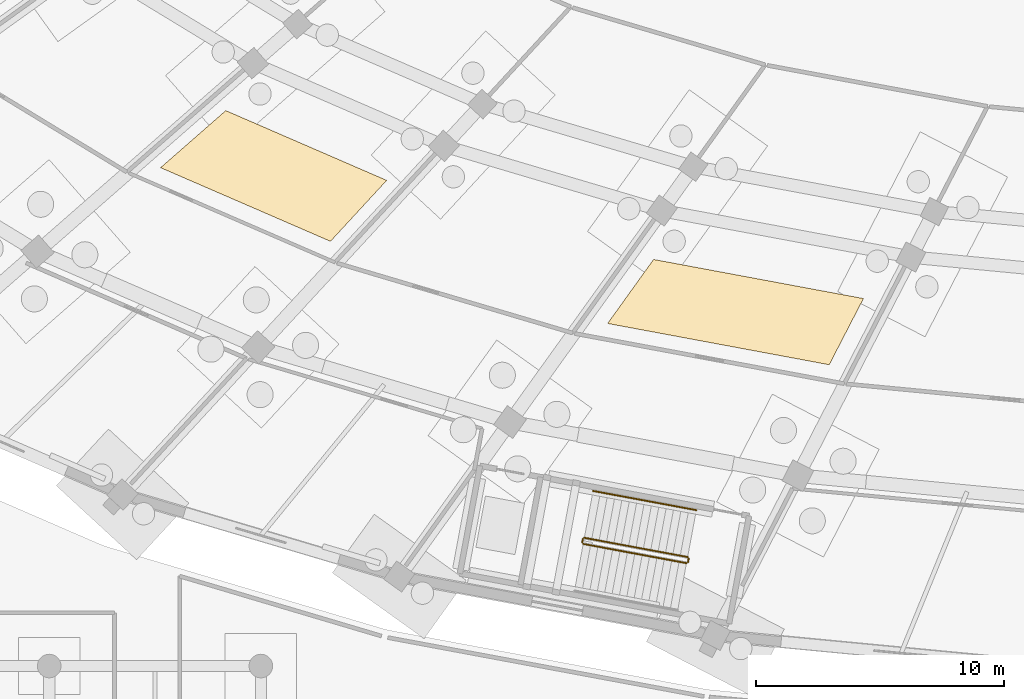
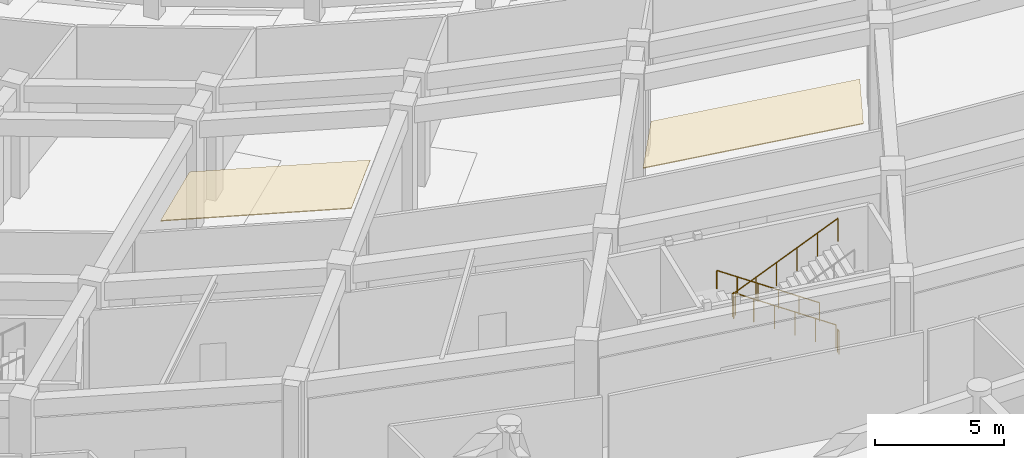
# One storey, part 70 of 88: 5 railings, 2 coverings.
"""IFC4 building model written with IfcOpenShell, lengths in metres."""

from ifc_helpers import new_model, si_unit, direction, frame, origin, origin_2d, place, context, subcontext, project, spatial, polyline, circle, outline, extrude, material, layer, layer_set, type_object, element, save


model = new_model("IFC4")

# Units and contexts
model_context = context("Model", 3, precision=1e-05, world=origin(), true_north=direction((0.0, 1.0)))
body_context = subcontext(model_context, "Body", "Model", "MODEL_VIEW")
ifc_project = project(units=[si_unit("LENGTHUNIT", "METRE"), si_unit("AREAUNIT", "SQUARE_METRE"), si_unit("VOLUMEUNIT", "CUBIC_METRE"), si_unit("PLANEANGLEUNIT", "RADIAN"), si_unit("MASSUNIT", "GRAM", prefix="KILO")], contexts=[model_context])

# Site, building, storey
site_placement = place(None, origin())
site = spatial("IfcSite", under=ifc_project, at=site_placement, CompositionType="ELEMENT")
building_placement = place(site_placement, origin())
building = spatial("IfcBuilding", under=site, at=building_placement, Name="Mphavela Belvedere Stadium", CompositionType="ELEMENT")
storey_placement = place(building_placement, origin())
storey = spatial("IfcBuildingStorey", under=building, at=storey_placement, Name="L00", CompositionType="ELEMENT", Elevation=0.0)

# Coverings
ifc_material_1 = material(Name="Perforated acoustic mineral ceiling tile")
ifc_layer = layer(ifc_material_1, 0.0400390625)
ifc_layer_set = layer_set([ifc_layer], Name="Perforated acoustic mineral ceiling tile")
covering_type = type_object("IfcCoveringType", Name="COV-CEILING-ACOUSTIC", PredefinedType="CEILING", material=ifc_layer_set)
covering_1_placement = place(storey_placement, frame((0.0, 0.0, 4.10009765625)))
element("IfcCovering", 1, at=covering_1_placement, inside=storey, type_object=covering_type, Name="Concourse acoustic ceiling L00-32", PredefinedType="CEILING", context=body_context, shape_type="SweptSolid", body=[
    extrude(outline(polyline([(58.21875, 36.35888671875), (64.69580078125, 33.55078125), (62.43310546875, 31.0966796875), (55.593505859375, 34.061767578125), (58.21875, 36.35888671875)])), origin(), (0.0, 0.0, 1.0), 0.039794921875),
])
covering_2_placement = place(storey_placement, frame((0.0, 0.0, 4.10009765625)))
element("IfcCovering", 2, at=covering_2_placement, inside=storey, type_object=covering_type, Name="Concourse acoustic ceiling L00-34", PredefinedType="CEILING", context=body_context, shape_type="SweptSolid", body=[
    extrude(outline(polyline([(75.439453125, 30.367431640625), (83.8876953125, 28.7939453125), (82.510986328125, 26.129150390625), (73.590087890625, 27.79052734375), (75.439453125, 30.367431640625)])), origin(), (0.0, 0.0, 1.0), 0.039794921875),
])

# Railings
ifc_material_2 = material(Name="Painted galvanised steel stair guardrail", Category="steel")
railing_type_1 = type_object("IfcRailingType", Name="RAL-GUARD-1120", PredefinedType="GUARDRAIL", material=ifc_material_2)
railing_1_placement = place(storey_placement, frame((76.809814453125, 18.387939453125, 0.179931640625)))
element("IfcRailing", 3, at=railing_1_placement, inside=storey, type_object=railing_type_1, Name="L00 ST-C11 stair guard 1", PredefinedType="GUARDRAIL", context=body_context, shape_type="SweptSolid", body=[
    extrude(circle(Radius=0.02392578125, at=origin_2d()), frame((0.0, 0.0, 1.09619140625), z_axis=(-0.844469166388, 0.1572870324, 0.51198888314), x_axis=(-0.183106500193, -0.98309308287, 0.0)), (0.0, 0.0, 1.0), 4.922119140625),
    extrude(circle(Radius=0.02099609375, at=origin_2d()), origin(), (0.0, 0.0, 1.0), 1.072021484375),
    extrude(circle(Radius=0.02099609375, at=origin_2d()), frame((-0.831298828125, 0.15478515625, 0.50390625)), (0.0, 0.0, 1.0), 1.072021484375),
    extrude(circle(Radius=0.02099609375, at=origin_2d()), frame((-1.66259765625, 0.3095703125, 1.008056640625)), (0.0, 0.0, 1.0), 1.072021484375),
    extrude(circle(Radius=0.02099609375, at=origin_2d()), frame((-2.493896484375, 0.464599609375, 1.511962890625)), (0.0, 0.0, 1.0), 1.072021484375),
    extrude(circle(Radius=0.02099609375, at=origin_2d()), frame((-3.3251953125, 0.619384765625, 2.01611328125)), (0.0, 0.0, 1.0), 1.072021484375),
    extrude(circle(Radius=0.02099609375, at=origin_2d()), frame((-4.156494140625, 0.774169921875, 2.52001953125)), (0.0, 0.0, 1.0), 1.072021484375),
])
railing_2_placement = place(storey_placement, frame((72.594970703125, 19.1220703125, 2.699951171875)))
element("IfcRailing", 4, at=railing_2_placement, inside=storey, type_object=railing_type_1, Name="L00 ST-C11 stair guard 2", PredefinedType="GUARDRAIL", context=body_context, shape_type="SweptSolid", body=[
    extrude(circle(Radius=0.02392578125, at=origin_2d()), frame((0.0, 0.0, 1.09619140625), z_axis=(-0.182322426032, -0.983238797529, 0.0), x_axis=(0.983238797529, -0.182322426032, 0.0)), (0.0, 0.0, 1.0), 0.14990234375),
    extrude(circle(Radius=0.02099609375, at=origin_2d()), origin(), (0.0, 0.0, 1.0), 1.072021484375),
    extrude(circle(Radius=0.02099609375, at=origin_2d()), frame((-0.02734375, -0.1474609375, 0.0)), (0.0, 0.0, 1.0), 1.072021484375),
])
railing_3_placement = place(storey_placement, frame((72.607666015625, 18.916259765625, 2.8798828125)))
element("IfcRailing", 5, at=railing_3_placement, inside=storey, type_object=railing_type_1, Name="L00 ST-C11 stair guard 3", PredefinedType="GUARDRAIL", context=body_context, shape_type="SweptSolid", body=[
    extrude(circle(Radius=0.02392578125, at=origin_2d()), frame((0.0, 0.0, 1.09619140625), z_axis=(0.844469166388, -0.1572870324, 0.51198888314), x_axis=(0.183106500193, 0.98309308287, 0.0)), (0.0, 0.0, 1.0), 4.922119140625),
    extrude(circle(Radius=0.02099609375, at=origin_2d()), origin(), (0.0, 0.0, 1.0), 1.072021484375),
    extrude(circle(Radius=0.02099609375, at=origin_2d()), frame((0.831298828125, -0.15478515625, 0.50390625)), (0.0, 0.0, 1.0), 1.072021484375),
    extrude(circle(Radius=0.02099609375, at=origin_2d()), frame((1.66259765625, -0.3095703125, 1.008056640625)), (0.0, 0.0, 1.0), 1.072021484375),
    extrude(circle(Radius=0.02099609375, at=origin_2d()), frame((2.493896484375, -0.464599609375, 1.511962890625)), (0.0, 0.0, 1.0), 1.072021484375),
    extrude(circle(Radius=0.02099609375, at=origin_2d()), frame((3.3251953125, -0.619384765625, 2.01611328125)), (0.0, 0.0, 1.0), 1.072021484375),
    extrude(circle(Radius=0.02099609375, at=origin_2d()), frame((4.156494140625, -0.774169921875, 2.52001953125)), (0.0, 0.0, 1.0), 1.072021484375),
])
railing_4_placement = place(storey_placement, frame((76.849853515625, 18.32958984375, 0.0)))
element("IfcRailing", 6, at=railing_4_placement, inside=storey, type_object=railing_type_1, Name="L00 ST-C11 stair guard 4", PredefinedType="GUARDRAIL", context=body_context, shape_type="SweptSolid", body=[
    extrude(circle(Radius=0.02392578125, at=origin_2d()), frame((0.0, 0.0, 1.09619140625), z_axis=(-0.182322426032, -0.983238797529, 0.0), x_axis=(0.983238797529, -0.182322426032, 0.0)), (0.0, 0.0, 1.0), 0.14990234375),
    extrude(circle(Radius=0.02099609375, at=origin_2d()), origin(), (0.0, 0.0, 1.0), 1.072021484375),
    extrude(circle(Radius=0.02099609375, at=origin_2d()), frame((-0.02734375, -0.1474609375, 0.0)), (0.0, 0.0, 1.0), 1.072021484375),
])
ifc_material_3 = material(Name="Brushed stainless steel tubular handrail", Category="steel")
railing_type_2 = type_object("IfcRailingType", Name="RAL-HANDRAIL-900", PredefinedType="HANDRAIL", material=ifc_material_3)
railing_5_placement = place(storey_placement, frame((77.161376953125, 20.275390625, 0.179931640625)))
element("IfcRailing", 7, at=railing_5_placement, inside=storey, type_object=railing_type_2, Name="L00 ST-C11 stair handrail 1", PredefinedType="HANDRAIL", context=body_context, shape_type="SweptSolid", body=[
    extrude(circle(Radius=0.02392578125, at=origin_2d()), frame((0.0, 0.0, 0.8759765625), z_axis=(-0.844469166388, 0.1572870324, 0.51198888314), x_axis=(-0.183106500193, -0.98309308287, 0.0)), (0.0, 0.0, 1.0), 4.922119140625),
    extrude(circle(Radius=0.02099609375, at=origin_2d()), origin(), (0.0, 0.0, 1.0), 0.851806640625),
    extrude(circle(Radius=0.02099609375, at=origin_2d()), frame((-0.831298828125, 0.15478515625, 0.50390625)), (0.0, 0.0, 1.0), 0.851806640625),
    extrude(circle(Radius=0.02099609375, at=origin_2d()), frame((-1.66259765625, 0.3095703125, 1.008056640625)), (0.0, 0.0, 1.0), 0.851806640625),
    extrude(circle(Radius=0.02099609375, at=origin_2d()), frame((-2.493896484375, 0.464599609375, 1.511962890625)), (0.0, 0.0, 1.0), 0.851806640625),
    extrude(circle(Radius=0.02099609375, at=origin_2d()), frame((-3.3251953125, 0.619384765625, 2.01611328125)), (0.0, 0.0, 1.0), 0.851806640625),
    extrude(circle(Radius=0.02099609375, at=origin_2d()), frame((-4.156494140625, 0.774169921875, 2.52001953125)), (0.0, 0.0, 1.0), 0.851806640625),
])

save(model, "model.ifc")
